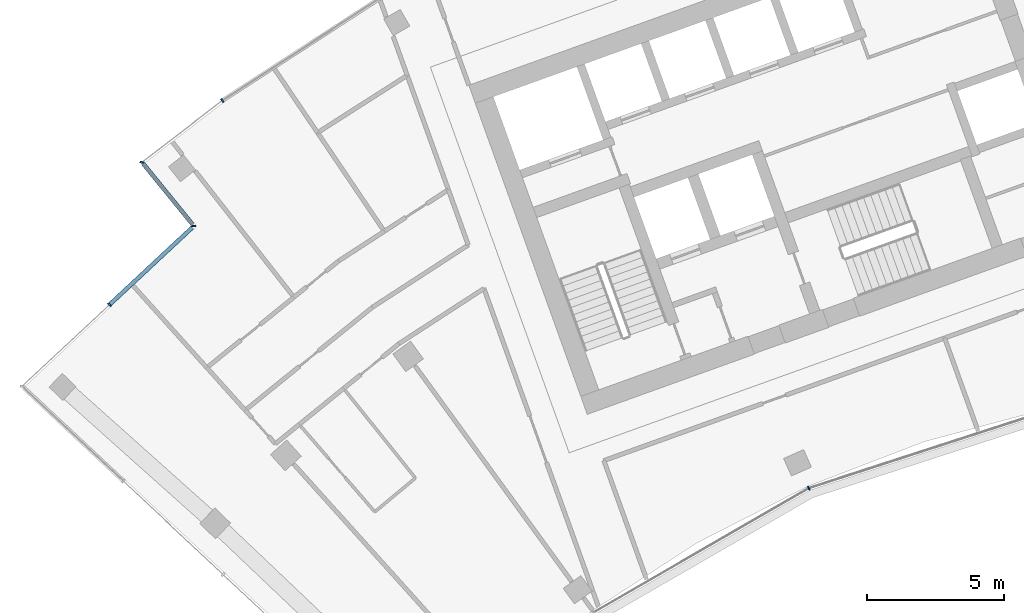
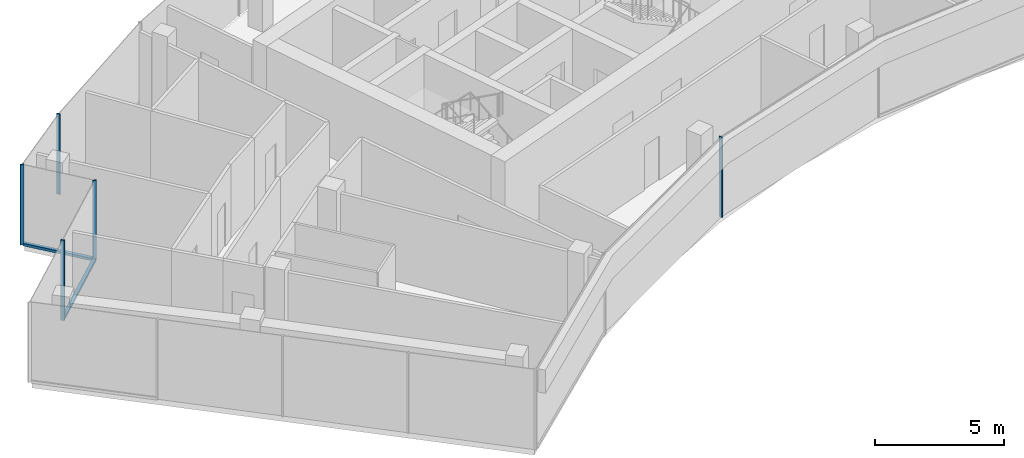
# One storey, part 3 of 18: 7 members, 4 elements without a shape of their own.
"""IFC4 building model written with IfcOpenShell, lengths in metres."""

from ifc_helpers import new_model, si_unit, direction, frame, origin, origin_2d, place, context, subcontext, project, spatial, rectangle, extrude, material, layer, layer_set, material_profile, profile_set, type_object, element, aggregate, save


model = new_model("IFC4")

# Units and contexts
model_context = context("Model", 3, precision=1e-05, world=origin(), true_north=direction((0.0, 1.0)))
body_context = subcontext(model_context, "Body", "Model", "MODEL_VIEW")
ifc_project = project(units=[si_unit("LENGTHUNIT", "METRE"), si_unit("AREAUNIT", "SQUARE_METRE"), si_unit("VOLUMEUNIT", "CUBIC_METRE"), si_unit("PLANEANGLEUNIT", "RADIAN"), si_unit("MASSUNIT", "GRAM", prefix="KILO")], contexts=[model_context])

# Site, building, storey
site_placement = place(None, origin())
site = spatial("IfcSite", under=ifc_project, at=site_placement, CompositionType="ELEMENT")
building_placement = place(site_placement, origin())
building = spatial("IfcBuilding", under=site, at=building_placement, Name="Stone Belt Terrace Tower", CompositionType="ELEMENT")
storey_placement = place(building_placement, frame((0.0, 0.0, 284.60009765625)))
storey = spatial("IfcBuildingStorey", under=building, at=storey_placement, Name="L69", CompositionType="ELEMENT", Elevation=284.60009765625)

# Curtain wall, member
ifc_material = material(Name="Aluminium 6063-T6 anodised frame", Category="aluminium")
ifc_layer_1 = layer(ifc_material, 0.14990234375)
ifc_layer_set_1 = layer_set([ifc_layer_1], Name="CW-A unitised convex-face curtain wall")
curtain_wall_type_1 = type_object("IfcCurtainWallType", Name="CW-A unitised convex-face curtain wall", PredefinedType="NOTDEFINED", material=ifc_layer_set_1)
curtain_wall_1_placement = place(storey_placement, origin())
curtain_wall_1 = element("IfcCurtainWall", 1, at=curtain_wall_1_placement, inside=storey, type_object=curtain_wall_type_1, Name="CW-A convex face L69", PredefinedType="NOTDEFINED")
ifc_material_profile_1 = material_profile(ifc_material, rectangle(XDim=0.14990234375, YDim=0.06005859375, at=origin_2d()), Name="Aluminium 6063-T6 60x150")
ifc_profile_set_1 = profile_set([ifc_material_profile_1], Name="Aluminium 6063-T6 anodised frame")
member_type_1 = type_object("IfcMemberType", Name="CW-A mullion 60 x 150", PredefinedType="MULLION", material=ifc_profile_set_1)
member_1_placement = place(storey_placement, frame((-39.131103515625, 53.86083984375, 0.0), z_axis=(0.0, 0.0, 1.0), x_axis=(0.577587125789, -0.816329046477, 0.0)))
member_1 = element("IfcMember", 2, at=member_1_placement, type_object=member_type_1, Name="CW-A mullion 14", PredefinedType="MULLION", context=body_context, shape_type="SweptSolid", body=[
    extrude(rectangle(XDim=0.14990234375, YDim=0.06005859375, at=origin_2d()), origin(), (0.0, 0.0, 1.0), 3.7998046875),
])
aggregate(curtain_wall_1, [member_1])

ifc_layer_2 = layer(ifc_material, 0.14990234375)
ifc_layer_set_2 = layer_set([ifc_layer_2], Name="CW-B unitised concave-face curtain wall")
curtain_wall_type_2 = type_object("IfcCurtainWallType", Name="CW-B unitised concave-face curtain wall", PredefinedType="NOTDEFINED", material=ifc_layer_set_2)
curtain_wall_2_placement = place(storey_placement, origin())
curtain_wall_2 = element("IfcCurtainWall", 3, at=curtain_wall_2_placement, inside=storey, type_object=curtain_wall_type_2, Name="CW-B concave face L69", PredefinedType="NOTDEFINED")
ifc_material_profile_2 = material_profile(ifc_material, rectangle(XDim=0.14990234375, YDim=0.050048828125, at=origin_2d()), Name="Aluminium 6063-T6 50x150")
ifc_profile_set_2 = profile_set([ifc_material_profile_2], Name="Aluminium 6063-T6 anodised frame")
member_type_2 = type_object("IfcMemberType", Name="CW-B mullion 50 x 150", PredefinedType="MULLION", material=ifc_profile_set_2)
member_2_placement = place(storey_placement, frame((-17.662353515625, 39.67041015625, 0.0), z_axis=(0.0, 0.0, 1.0), x_axis=(-0.406736643076, 0.913545457643, 0.0)))
member_2 = element("IfcMember", 4, at=member_2_placement, type_object=member_type_2, Name="CW-B mullion 3", PredefinedType="MULLION", context=body_context, shape_type="SweptSolid", body=[
    extrude(rectangle(XDim=0.14990234375, YDim=0.050048828125, at=origin_2d()), origin(), (0.0, 0.0, 1.0), 3.7998046875),
])
aggregate(curtain_wall_2, [member_2])

ifc_layer_3 = layer(ifc_material, 0.14990234375)
ifc_layer_set_3 = layer_set([ifc_layer_3], Name="CW-C stick curtain wall, horn ends and notches")
curtain_wall_type_3 = type_object("IfcCurtainWallType", Name="CW-C stick curtain wall, horn ends and notches", PredefinedType="NOTDEFINED", material=ifc_layer_set_3)
curtain_wall_3_placement = place(storey_placement, origin())
curtain_wall_3 = element("IfcCurtainWall", 5, at=curtain_wall_3_placement, inside=storey, type_object=curtain_wall_type_3, Name="CW-C notch face L69", PredefinedType="NOTDEFINED")
ifc_material_profile_3 = material_profile(ifc_material, rectangle(XDim=0.14990234375, YDim=0.06005859375, at=origin_2d()), Name="Aluminium 6063-T6 60x150")
ifc_profile_set_3 = profile_set([ifc_material_profile_3], Name="Aluminium 6063-T6 anodised frame")
member_type_3 = type_object("IfcMemberType", Name="CW-C mullion 60 x 150", PredefinedType="MULLION", material=ifc_profile_set_3)
member_3_placement = place(storey_placement, frame((-42.068359375, 51.60205078125, 0.0), z_axis=(0.0, 0.0, 1.0), x_axis=(0.993258004644, -0.115924700604, 0.0)))
member_3 = element("IfcMember", 6, at=member_3_placement, type_object=member_type_3, Name="CW-C mullion 1", PredefinedType="MULLION", context=body_context, shape_type="SweptSolid", body=[
    extrude(rectangle(XDim=0.14990234375, YDim=0.06005859375, at=origin_2d()), origin(), (0.0, 0.0, 1.0), 3.7998046875),
])

# Curtain wall, members
curtain_wall_4_placement = place(storey_placement, origin())
curtain_wall_4 = element("IfcCurtainWall", 7, at=curtain_wall_4_placement, inside=storey, type_object=curtain_wall_type_3, Name="CW-C notch face L69", PredefinedType="NOTDEFINED")
member_4_placement = place(storey_placement, frame((-40.1708984375, 49.269287109375, 0.0), z_axis=(0.0, 0.0, 1.0), x_axis=(0.997639702696, -0.068666029474, 0.0)))
member_4 = element("IfcMember", 8, at=member_4_placement, type_object=member_type_3, Name="CW-C mullion 1", PredefinedType="MULLION", context=body_context, shape_type="SweptSolid", body=[
    extrude(rectangle(XDim=0.14990234375, YDim=0.06005859375, at=origin_2d()), origin(), (0.0, 0.0, 1.0), 3.7998046875),
])
member_5_placement = place(storey_placement, frame((-43.260009765625, 46.388671875, 0.0), z_axis=(0.0, 0.0, 1.0), x_axis=(0.682013767261, -0.731339333871, 0.0)))
member_5 = element("IfcMember", 9, at=member_5_placement, type_object=member_type_3, Name="CW-C mullion 2", PredefinedType="MULLION", context=body_context, shape_type="SweptSolid", body=[
    extrude(rectangle(XDim=0.14990234375, YDim=0.06005859375, at=origin_2d()), origin(), (0.0, 0.0, 1.0), 3.7998046875),
])

# Member
ifc_material_profile_4 = material_profile(ifc_material, rectangle(XDim=0.14990234375, YDim=0.1201171875, at=origin_2d()), Name="Aluminium 6063-T6 150x120")
ifc_profile_set_4 = profile_set([ifc_material_profile_4], Name="Aluminium 6063-T6 anodised frame")
member_type_4 = type_object("IfcMemberType", Name="CW-C transom 120 x 150", PredefinedType="USERDEFINED", material=ifc_profile_set_4)
member_6_placement = place(storey_placement, frame((-42.021240234375, 51.5439453125, 0.059814453125), z_axis=(0.631026504781, -0.775761271439, 0.0), x_axis=(0.775761271439, 0.631026504781, 0.0)))
member_6 = element("IfcMember", 10, at=member_6_placement, type_object=member_type_4, Name="CW-C transom 1.1", ObjectType="TRANSOM", PredefinedType="USERDEFINED", context=body_context, shape_type="SweptSolid", body=[
    extrude(rectangle(XDim=0.14990234375, YDim=0.1201171875, at=origin_2d()), origin(), (0.0, 0.0, 1.0), 2.859130859375),
])

aggregate(curtain_wall_3, [member_3, member_6])

member_7_placement = place(storey_placement, frame((-40.224365234375, 49.21923828125, 0.059814453125), z_axis=(-0.731382255625, -0.681967738355, 0.0), x_axis=(0.681967738355, -0.731382255625, 0.0)))
member_7 = element("IfcMember", 11, at=member_7_placement, type_object=member_type_4, Name="CW-C transom 1.1", ObjectType="TRANSOM", PredefinedType="USERDEFINED", context=body_context, shape_type="SweptSolid", body=[
    extrude(rectangle(XDim=0.14990234375, YDim=0.1201171875, at=origin_2d()), origin(), (0.0, 0.0, 1.0), 4.12060546875),
])

aggregate(curtain_wall_4, [member_4, member_5, member_7])

save(model, "model.ifc")
